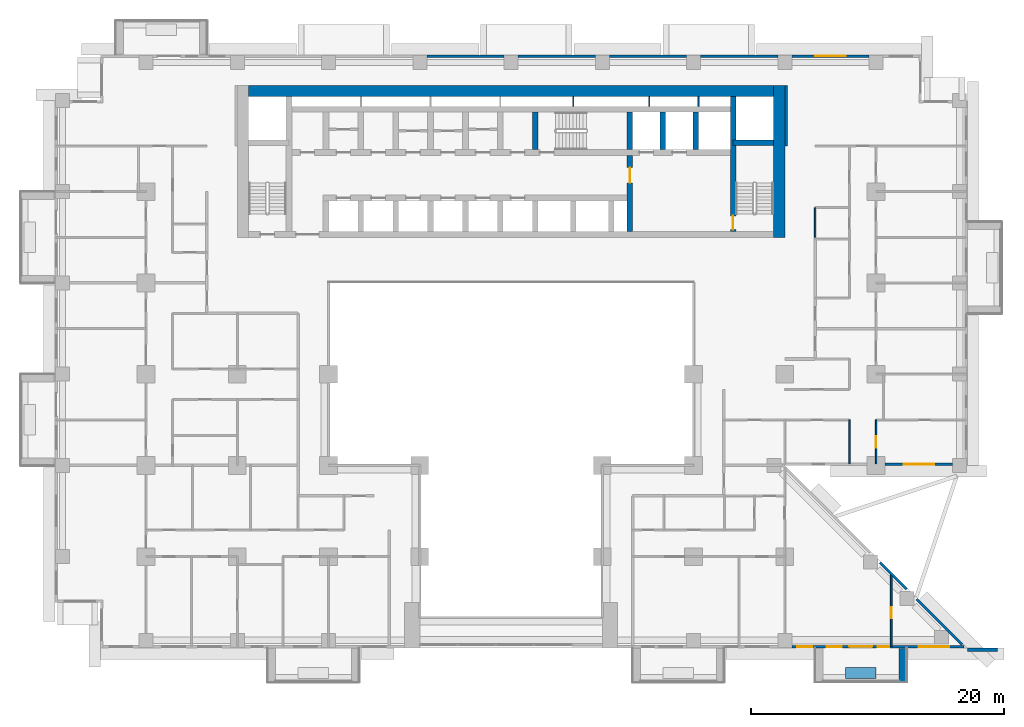
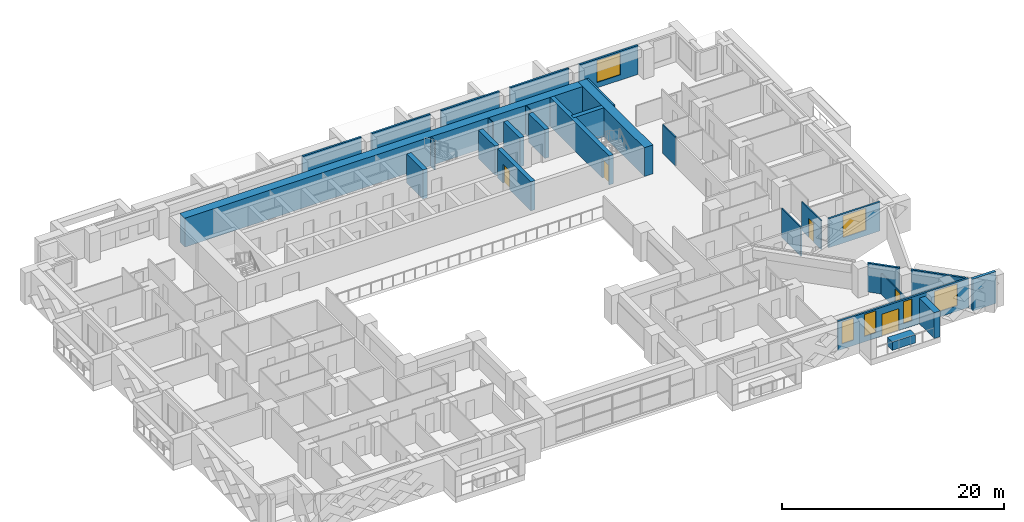
# One storey, part 11 of 17: 29 walls, 6 windows, 5 doors, 11 openings.
"""IFC4 building model written with IfcOpenShell, lengths in metres."""

from ifc_helpers import new_model, si_unit, direction, frame, frame_2d, origin, place, context, subcontext, project, spatial, rectangle, extrude, material, layer, layer_set, type_object, element, fill, save


model = new_model("IFC4")

# Units and contexts
model_context = context("Model", 3, precision=1e-05, world=origin(), true_north=direction((0.0, 1.0)))
body_context = subcontext(model_context, "Body", "Model", "MODEL_VIEW")
ifc_project = project(units=[si_unit("LENGTHUNIT", "METRE"), si_unit("AREAUNIT", "SQUARE_METRE"), si_unit("VOLUMEUNIT", "CUBIC_METRE"), si_unit("PLANEANGLEUNIT", "RADIAN"), si_unit("MASSUNIT", "GRAM", prefix="KILO")], contexts=[model_context])

# Site, building, storey
site_placement = place(None, origin())
site = spatial("IfcSite", under=ifc_project, at=site_placement, CompositionType="ELEMENT")
building_placement = place(site_placement, origin())
building = spatial("IfcBuilding", under=site, at=building_placement, Name="Saffron Iwan Residences", CompositionType="ELEMENT")
storey_placement = place(building_placement, frame((0.0, 0.0, 37.5)))
storey = spatial("IfcBuildingStorey", under=building, at=storey_placement, Name="L08", CompositionType="ELEMENT", Elevation=37.5)

# Walls
ifc_material_1 = material(Name="Concrete C50/60 white painted", Category="concrete")
ifc_layer_1 = layer(ifc_material_1, 0.60009765625)
ifc_layer_set_1 = layer_set([ifc_layer_1], Name="Concrete C50/60 white painted")
wall_type_1 = type_object("IfcWallType", Name="BALCONY FIN 600", PredefinedType="SOLIDWALL", material=ifc_layer_set_1)
wall_1_placement = place(storey_placement, frame((81.300048828125, 33.550048828125, 0.0), z_axis=(0.0, 0.0, 1.0), x_axis=(0.0, -1.0, 0.0)))
element("IfcWall", 1, at=wall_1_placement, inside=storey, type_object=wall_type_1, Name="Balcony fin L08 11-2b", PredefinedType="SOLIDWALL", context=body_context, shape_type="SweptSolid", body=[
    extrude(rectangle(XDim=2.650146484375, YDim=0.60009765625, at=frame_2d((1.3251953125, 0.0))), origin(), (0.0, 0.0, 1.0), 2.85009765625),
])
ifc_material_2 = material(Name="Concrete C35/45 white painted", Category="concrete")
ifc_layer_2 = layer(ifc_material_2, 0.14990234375)
ifc_layer_set_2 = layer_set([ifc_layer_2], Name="Concrete C35/45 white painted")
wall_type_2 = type_object("IfcWallType", Name="BALCONY PLANTER", PredefinedType="SOLIDWALL", material=ifc_layer_set_2)
wall_2_placement = place(storey_placement, frame((76.800048828125, 31.625, 0.0), z_axis=(0.0, 0.0, 1.0), x_axis=(1.0, 0.0, 0.0)))
element("IfcWall", 2, at=wall_2_placement, inside=storey, type_object=wall_type_2, Name="PLANTER L08 11-2", PredefinedType="SOLIDWALL", context=body_context, shape_type="SweptSolid", body=[
    extrude(rectangle(XDim=2.39990234375, YDim=0.89990234375, at=frame_2d((1.199951171875, 0.0))), origin(), (0.0, 0.0, 1.0), 0.89990234375),
])
ifc_material_3 = material(Name="Concrete C40/50", Category="concrete")
ifc_layer_3 = layer(ifc_material_3, 0.199951171875)
ifc_layer_set_3 = layer_set([ifc_layer_3], Name="Concrete C40/50")
wall_type_3 = type_object("IfcWallType", Name="EXTERNAL WALL 200", PredefinedType="SOLIDWALL", material=ifc_layer_set_3)
wall_3_placement = place(storey_placement, frame((85.995849609375, 33.862548828125, 0.0), z_axis=(0.0, 0.0, 1.0), x_axis=(-0.7070827891, 0.707130772459, 0.0)))
element("IfcWall", 3, at=wall_3_placement, inside=storey, type_object=wall_type_3, Name="External wall L08 F0.0", PredefinedType="SOLIDWALL", context=body_context, shape_type="SweptSolid", body=[
    extrude(rectangle(XDim=5.088134765625, YDim=0.199951171875, at=frame_2d((2.5439453125, 0.0))), origin(), (0.0, 0.0, 1.0), 3.179931640625),
])
wall_4_placement = place(storey_placement, frame((81.620361328125, 38.23828125, 0.0), z_axis=(0.0, 0.0, 1.0), x_axis=(-0.707106781187, 0.707106781187, 0.0)))
element("IfcWall", 4, at=wall_4_placement, inside=storey, type_object=wall_type_3, Name="External wall L08 F0.1", PredefinedType="SOLIDWALL", context=body_context, shape_type="SweptSolid", body=[
    extrude(rectangle(XDim=2.97265625, YDim=0.199951171875, at=frame_2d((1.486328125, 0.0))), origin(), (0.0, 0.0, 1.0), 3.179931640625),
])

# Wall, opening, window
wall_5_placement = place(storey_placement, frame((79.89990234375, 48.10009765625, 0.0), z_axis=(0.0, 0.0, 1.0), x_axis=(1.0, 0.0, 0.0)))
wall_5 = element("IfcWall", 5, at=wall_5_placement, inside=storey, type_object=wall_type_3, Name="External wall L08 F1.1", PredefinedType="SOLIDWALL", context=body_context, shape_type="SweptSolid", body=[
    extrude(rectangle(XDim=5.35009765625, YDim=0.199951171875, at=frame_2d((2.675048828125, 0.0))), origin(), (0.0, 0.0, 1.0), 3.179931640625),
])
opening_1_placement = place(wall_5_placement, frame((1.47509765625, 0.0, 0.60009765625)))
opening_1 = element("IfcOpeningElement", 6, at=opening_1_placement, cuts=wall_5, Name="Opening W1", PredefinedType="OPENING", context=body_context, shape_type="SweptSolid", body=[
    extrude(rectangle(XDim=2.39990234375, YDim=2.39990234375, at=frame_2d((1.199951171875, 1.199951171875))), frame((0.0, 0.10986328125, 0.0), z_axis=(0.0, -1.0, 0.0), x_axis=(1.0, 0.0, 0.0)), (0.0, 0.0, 1.0), 0.219970703125),
])
ifc_material_4 = material(Name="Clear glass, laminated double glazed", Category="glass")
window_type_1 = type_object("IfcWindowType", Name="WINDOW 2400 x 2400", PartitioningType="DOUBLE_PANEL_VERTICAL", PredefinedType="WINDOW", material=ifc_material_4)
window_1_placement = place(opening_1_placement, origin())
window_1 = element("IfcWindow", 7, at=window_1_placement, inside=storey, type_object=window_type_1, Name="Window L08 F1.0", OverallHeight=2.39990234375, OverallWidth=2.39990234375, PartitioningType="DOUBLE_PANEL_VERTICAL", PredefinedType="WINDOW", context=body_context, shape_type="SweptSolid", body=[
    extrude(rectangle(XDim=2.39990234375, YDim=2.39990234375, at=frame_2d((1.199951171875, 1.199951171875))), frame((0.0, 0.030029296875, 0.0), z_axis=(0.0, -1.0, 0.0), x_axis=(1.0, 0.0, 0.0)), (0.0, 0.0, 1.0), 0.06005859375),
])
fill(opening_1, window_1)

wall_6_placement = place(storey_placement, frame((78.64990234375, 80.300048828125, 0.0), z_axis=(0.0, 0.0, 1.0), x_axis=(-1.0, 0.0, 0.0)))
wall_6 = element("IfcWall", 8, at=wall_6_placement, inside=storey, type_object=wall_type_3, Name="External wall L08 F5.1", PredefinedType="SOLIDWALL", context=body_context, shape_type="SweptSolid", body=[
    extrude(rectangle(XDim=6.099853515625, YDim=0.199951171875, at=frame_2d((3.0498046875, 0.0))), origin(), (0.0, 0.0, 1.0), 3.179931640625),
])
opening_2_placement = place(wall_6_placement, frame((1.85009765625, 0.0, 0.60009765625)))
opening_2 = element("IfcOpeningElement", 9, at=opening_2_placement, cuts=wall_6, Name="Opening W1", PredefinedType="OPENING", context=body_context, shape_type="SweptSolid", body=[
    extrude(rectangle(XDim=2.39990234375, YDim=2.39990234375, at=frame_2d((1.199951171875, 1.199951171875))), frame((0.0, 0.10986328125, 0.0), z_axis=(0.0, -1.0, 0.0), x_axis=(1.0, 0.0, 0.0)), (0.0, 0.0, 1.0), 0.219970703125),
])
window_2_placement = place(opening_2_placement, origin())
window_2 = element("IfcWindow", 10, at=window_2_placement, inside=storey, type_object=window_type_1, Name="Window L08 F5.0", OverallHeight=2.39990234375, OverallWidth=2.39990234375, PartitioningType="DOUBLE_PANEL_VERTICAL", PredefinedType="WINDOW", context=body_context, shape_type="SweptSolid", body=[
    extrude(rectangle(XDim=2.39990234375, YDim=2.39990234375, at=frame_2d((1.199951171875, 1.199951171875))), frame((0.0, 0.030029296875, 0.0), z_axis=(0.0, -1.0, 0.0), x_axis=(1.0, 0.0, 0.0)), (0.0, 0.0, 1.0), 0.06005859375),
])
fill(opening_2, window_2)

# Walls
wall_7_placement = place(storey_placement, frame((71.449951171875, 80.300048828125, 0.0), z_axis=(0.0, 0.0, 1.0), x_axis=(-1.0, 0.0, 0.0)))
element("IfcWall", 11, at=wall_7_placement, inside=storey, type_object=wall_type_3, Name="External wall L08 F5.2", PredefinedType="SOLIDWALL", context=body_context, shape_type="SweptSolid", body=[
    extrude(rectangle(XDim=6.099853515625, YDim=0.199951171875, at=frame_2d((3.0498046875, 0.0))), origin(), (0.0, 0.0, 1.0), 3.179931640625),
])
for number, where, z_axis, x_axis, name in (
    (12, (64.25, 80.300048828125, 0.0), (0.0, 0.0, 1.0), (-1.0, 0.0, 0.0), "External wall L08 F5.3"),
    (13, (57.050048828125, 80.300048828125, 0.0), (0.0, 0.0, 1.0), (-1.0, 0.0, 0.0), "External wall L08 F5.4"),
    (14, (49.85009765625, 80.300048828125, 0.0), (0.0, 0.0, 1.0), (-1.0, 0.0, 0.0), "External wall L08 F5.5"),
):
    element("IfcWall", number, at=place(storey_placement, frame(where, z_axis=z_axis, x_axis=x_axis)), inside=storey, type_object=wall_type_3, Name=name, PredefinedType="SOLIDWALL", context=body_context, shape_type="SweptSolid", body=[
        extrude(rectangle(XDim=6.10009765625, YDim=0.199951171875, at=frame_2d((3.050048828125, 0.0))), origin(), (0.0, 0.0, 1.0), 3.179931640625),
    ])

# Wall, openings, door, windows
wall_8_placement = place(storey_placement, frame((72.550048828125, 33.699951171875, 0.0), z_axis=(0.0, 0.0, 1.0), x_axis=(1.0, 0.0, 0.0)))
wall_8 = element("IfcWall", 15, at=wall_8_placement, inside=storey, type_object=wall_type_3, Name="External wall L08 F11.6", PredefinedType="SOLIDWALL", context=body_context, shape_type="SweptSolid", body=[
    extrude(rectangle(XDim=13.608642578125, YDim=0.199951171875, at=frame_2d((6.80419921875, 0.0))), origin(), (0.0, 0.0, 1.0), 3.179931640625),
])
opening_3_placement = place(wall_8_placement, frame((4.550048828125, 0.0, 0.0)))
opening_3 = element("IfcOpeningElement", 16, at=opening_3_placement, cuts=wall_8, Name="Opening BD1", PredefinedType="OPENING", context=body_context, shape_type="SweptSolid", body=[
    extrude(rectangle(XDim=1.800048828125, YDim=2.39990234375, at=frame_2d((0.89990234375, 1.199951171875))), frame((0.0, 0.10986328125, 0.0), z_axis=(0.0, -1.0, 0.0), x_axis=(1.0, 0.0, 0.0)), (0.0, 0.0, 1.0), 0.219970703125),
])
opening_4_placement = place(wall_8_placement, frame((0.425048828125, 0.0, 0.60009765625)))
opening_4 = element("IfcOpeningElement", 17, at=opening_4_placement, cuts=wall_8, Name="Opening W3", PredefinedType="OPENING", context=body_context, shape_type="SweptSolid", body=[
    extrude(rectangle(XDim=1.199951171875, YDim=2.39990234375, at=frame_2d((0.60009765625, 1.199951171875))), frame((0.0, 0.10986328125, 0.0), z_axis=(0.0, -1.0, 0.0), x_axis=(1.0, 0.0, 0.0)), (0.0, 0.0, 1.0), 0.219970703125),
])
opening_5_placement = place(wall_8_placement, frame((2.75, 0.0, 0.60009765625)))
opening_5 = element("IfcOpeningElement", 18, at=opening_5_placement, cuts=wall_8, Name="Opening W3", PredefinedType="OPENING", context=body_context, shape_type="SweptSolid", body=[
    extrude(rectangle(XDim=1.199951171875, YDim=2.39990234375, at=frame_2d((0.60009765625, 1.199951171875))), frame((0.0, 0.10986328125, 0.0), z_axis=(0.0, -1.0, 0.0), x_axis=(1.0, 0.0, 0.0)), (0.0, 0.0, 1.0), 0.219970703125),
])
opening_6_placement = place(wall_8_placement, frame((6.800048828125, 0.0, 0.60009765625)))
opening_6 = element("IfcOpeningElement", 19, at=opening_6_placement, cuts=wall_8, Name="Opening W10", PredefinedType="OPENING", context=body_context, shape_type="SweptSolid", body=[
    extrude(rectangle(XDim=0.89990234375, YDim=2.39990234375, at=frame_2d((0.449951171875, 1.199951171875))), frame((0.0, 0.10986328125, 0.0), z_axis=(0.0, -1.0, 0.0), x_axis=(1.0, 0.0, 0.0)), (0.0, 0.0, 1.0), 0.219970703125),
])
opening_7_placement = place(wall_8_placement, frame((10.029296875, 0.0, 0.60009765625)))
opening_7 = element("IfcOpeningElement", 20, at=opening_7_placement, cuts=wall_8, Name="Opening W1", PredefinedType="OPENING", context=body_context, shape_type="SweptSolid", body=[
    extrude(rectangle(XDim=2.39990234375, YDim=2.39990234375, at=frame_2d((1.199951171875, 1.199951171875))), frame((0.0, 0.10986328125, 0.0), z_axis=(0.0, -1.0, 0.0), x_axis=(1.0, 0.0, 0.0)), (0.0, 0.0, 1.0), 0.219970703125),
])
door_type_1 = type_object("IfcDoorType", Name="BALCONY DOOR 1800 x 2400", OperationType="DOUBLE_DOOR_SLIDING", PredefinedType="DOOR", material=ifc_material_4)
door_1_placement = place(opening_3_placement, origin())
door_1 = element("IfcDoor", 21, at=door_1_placement, inside=storey, type_object=door_type_1, Name="Balcony door L08 F11.0", OperationType="DOUBLE_DOOR_SLIDING", OverallHeight=2.39990234375, OverallWidth=1.800048828125, PredefinedType="DOOR", context=body_context, shape_type="SweptSolid", body=[
    extrude(rectangle(XDim=1.800048828125, YDim=2.39990234375, at=frame_2d((0.89990234375, 1.199951171875))), frame((0.0, 0.02490234375, 0.0), z_axis=(0.0, -1.0, 0.0), x_axis=(1.0, 0.0, 0.0)), (0.0, 0.0, 1.0), 0.050048828125),
])
fill(opening_3, door_1)
window_type_2 = type_object("IfcWindowType", Name="WINDOW 1200 x 2400", PartitioningType="SINGLE_PANEL", PredefinedType="WINDOW", material=ifc_material_4)
window_3_placement = place(opening_4_placement, origin())
window_3 = element("IfcWindow", 22, at=window_3_placement, inside=storey, type_object=window_type_2, Name="Window L08 F11.1", OverallHeight=2.39990234375, OverallWidth=1.199951171875, PartitioningType="SINGLE_PANEL", PredefinedType="WINDOW", context=body_context, shape_type="SweptSolid", body=[
    extrude(rectangle(XDim=1.199951171875, YDim=2.39990234375, at=frame_2d((0.60009765625, 1.199951171875))), frame((0.0, 0.030029296875, 0.0), z_axis=(0.0, -1.0, 0.0), x_axis=(1.0, 0.0, 0.0)), (0.0, 0.0, 1.0), 0.06005859375),
])
fill(opening_4, window_3)
window_4_placement = place(opening_5_placement, origin())
window_4 = element("IfcWindow", 23, at=window_4_placement, inside=storey, type_object=window_type_2, Name="Window L08 F11.2", OverallHeight=2.39990234375, OverallWidth=1.199951171875, PartitioningType="SINGLE_PANEL", PredefinedType="WINDOW", context=body_context, shape_type="SweptSolid", body=[
    extrude(rectangle(XDim=1.199951171875, YDim=2.39990234375, at=frame_2d((0.60009765625, 1.199951171875))), frame((0.0, 0.030029296875, 0.0), z_axis=(0.0, -1.0, 0.0), x_axis=(1.0, 0.0, 0.0)), (0.0, 0.0, 1.0), 0.06005859375),
])
fill(opening_5, window_4)
window_5_placement = place(opening_7_placement, origin())
window_5 = element("IfcWindow", 24, at=window_5_placement, inside=storey, type_object=window_type_1, Name="Window L08 F11.4", OverallHeight=2.39990234375, OverallWidth=2.39990234375, PartitioningType="DOUBLE_PANEL_VERTICAL", PredefinedType="WINDOW", context=body_context, shape_type="SweptSolid", body=[
    extrude(rectangle(XDim=2.39990234375, YDim=2.39990234375, at=frame_2d((1.199951171875, 1.199951171875))), frame((0.0, 0.030029296875, 0.0), z_axis=(0.0, -1.0, 0.0), x_axis=(1.0, 0.0, 0.0)), (0.0, 0.0, 1.0), 0.06005859375),
])
fill(opening_7, window_5)
window_type_3 = type_object("IfcWindowType", Name="WINDOW 900 x 2400", PartitioningType="SINGLE_PANEL", PredefinedType="WINDOW", material=ifc_material_4)
window_6_placement = place(opening_6_placement, origin())
window_6 = element("IfcWindow", 25, at=window_6_placement, inside=storey, type_object=window_type_3, Name="Window L08 F11.3", OverallHeight=2.39990234375, OverallWidth=0.89990234375, PartitioningType="SINGLE_PANEL", PredefinedType="WINDOW", context=body_context, shape_type="SweptSolid", body=[
    extrude(rectangle(XDim=0.89990234375, YDim=2.39990234375, at=frame_2d((0.449951171875, 1.199951171875))), frame((0.0, 0.030029296875, 0.0), z_axis=(0.0, -1.0, 0.0), x_axis=(1.0, 0.0, 0.0)), (0.0, 0.0, 1.0), 0.06005859375),
])
fill(opening_6, window_6)

# Walls
ifc_material_5 = material(Name="Gypsum board partition")
ifc_layer_4 = layer(ifc_material_5, 0.1201171875)
ifc_layer_set_4 = layer_set([ifc_layer_4], Name="Gypsum board partition")
wall_type_4 = type_object("IfcWallType", Name="Flat partition 120", PredefinedType="PARTITIONING", material=ifc_layer_set_4)
wall_9_placement = place(storey_placement, frame((74.39990234375, 66.02001953125, 0.0), z_axis=(0.0, 0.0, 1.0), x_axis=(0.0, 1.0, 0.0)))
element("IfcWall", 26, at=wall_9_placement, inside=storey, type_object=wall_type_4, Name="W-L08-PART-v74.4-66.02", PredefinedType="PARTITIONING", context=body_context, shape_type="SweptSolid", body=[
    extrude(rectangle(XDim=2.330078125, YDim=0.1201171875, at=frame_2d((1.1650390625, 0.0))), origin(), (0.0, 0.0, 1.0), 3.179931640625),
])
wall_10_placement = place(storey_placement, frame((77.10009765625, 48.125, 0.0), z_axis=(0.0, 0.0, 1.0), x_axis=(0.0, 1.0, 0.0)))
element("IfcWall", 27, at=wall_10_placement, inside=storey, type_object=wall_type_4, Name="W-L08-PART-v77.1-48.125", PredefinedType="PARTITIONING", context=body_context, shape_type="SweptSolid", body=[
    extrude(rectangle(XDim=3.47509765625, YDim=0.1201171875, at=frame_2d((1.737548828125, 0.0))), origin(), (0.0, 0.0, 1.0), 3.179931640625),
])

# Wall, opening, door
wall_11_placement = place(storey_placement, frame((79.199951171875, 48.125, 0.0), z_axis=(0.0, 0.0, 1.0), x_axis=(0.0, 1.0, 0.0)))
wall_11 = element("IfcWall", 28, at=wall_11_placement, inside=storey, type_object=wall_type_4, Name="W-L08-PART-v79.2-48.125", PredefinedType="PARTITIONING", context=body_context, shape_type="SweptSolid", body=[
    extrude(rectangle(XDim=3.47509765625, YDim=0.1201171875, at=frame_2d((1.737548828125, 0.0))), origin(), (0.0, 0.0, 1.0), 3.179931640625),
])
opening_8_placement = place(wall_11_placement, frame((1.28759765625, 0.0, 0.0)))
opening_8 = element("IfcOpeningElement", 29, at=opening_8_placement, cuts=wall_11, Name="Opening FD2", PredefinedType="OPENING", context=body_context, shape_type="SweptSolid", body=[
    extrude(rectangle(XDim=0.89990234375, YDim=2.10009765625, at=frame_2d((0.449951171875, 1.050048828125))), frame((0.0, 0.070068359375, 0.0), z_axis=(0.0, -1.0, 0.0), x_axis=(1.0, 0.0, 0.0)), (0.0, 0.0, 1.0), 0.14013671875),
])
ifc_material_6 = material(Name="Timber door", Category="wood")
door_type_2 = type_object("IfcDoorType", Name="Flat door 900", OperationType="NOTDEFINED", PredefinedType="DOOR", material=ifc_material_6)
door_2_placement = place(opening_8_placement, origin())
door_2 = element("IfcDoor", 30, at=door_2_placement, inside=storey, type_object=door_type_2, Name="Door L08-022", OperationType="SINGLE_SWING_LEFT", OverallHeight=2.10009765625, OverallWidth=0.89990234375, PredefinedType="DOOR", context=body_context, shape_type="SweptSolid", body=[
    extrude(rectangle(XDim=0.89990234375, YDim=2.10009765625, at=frame_2d((0.449951171875, 1.050048828125))), frame((0.0, 0.02490234375, 0.0), z_axis=(0.0, -1.0, 0.0), x_axis=(1.0, 0.0, 0.0)), (0.0, 0.0, 1.0), 0.050048828125),
])
fill(opening_8, door_2)

wall_12_placement = place(storey_placement, frame((80.39990234375, 33.72509765625, 0.0), z_axis=(0.0, 0.0, 1.0), x_axis=(0.0, 1.0, 0.0)))
wall_12 = element("IfcWall", 31, at=wall_12_placement, inside=storey, type_object=wall_type_4, Name="W-L08-PART-v80.4-33.725", PredefinedType="PARTITIONING", context=body_context, shape_type="SweptSolid", body=[
    extrude(rectangle(XDim=5.697998046875, YDim=0.1201171875, at=frame_2d((2.84912109375, 0.0))), origin(), (0.0, 0.0, 1.0), 2.280029296875),
])
opening_9_placement = place(wall_12_placement, frame((2.198974609375, 0.0, 0.0)))
opening_9 = element("IfcOpeningElement", 32, at=opening_9_placement, cuts=wall_12, Name="Opening FD2", PredefinedType="OPENING", context=body_context, shape_type="SweptSolid", body=[
    extrude(rectangle(XDim=0.89990234375, YDim=2.10009765625, at=frame_2d((0.449951171875, 1.050048828125))), frame((0.0, 0.070068359375, 0.0), z_axis=(0.0, -1.0, 0.0), x_axis=(1.0, 0.0, 0.0)), (0.0, 0.0, 1.0), 0.14013671875),
])
door_3_placement = place(opening_9_placement, origin())
door_3 = element("IfcDoor", 33, at=door_3_placement, inside=storey, type_object=door_type_2, Name="Door L08-052", OperationType="SINGLE_SWING_RIGHT", OverallHeight=2.10009765625, OverallWidth=0.89990234375, PredefinedType="DOOR", context=body_context, shape_type="SweptSolid", body=[
    extrude(rectangle(XDim=0.89990234375, YDim=2.10009765625, at=frame_2d((0.449951171875, 1.050048828125))), frame((0.0, 0.02490234375, 0.0), z_axis=(0.0, -1.0, 0.0), x_axis=(1.0, 0.0, 0.0)), (0.0, 0.0, 1.0), 0.050048828125),
])
fill(opening_9, door_3)

# Walls
ifc_material_7 = material(Name="Fire-rated gypsum board wall")
ifc_layer_5 = layer(ifc_material_7, 0.199951171875)
ifc_layer_set_5 = layer_set([ifc_layer_5], Name="Fire-rated gypsum board wall")
wall_type_5 = type_object("IfcWallType", Name="Gallery wall 200", PredefinedType="SOLIDWALL", material=ifc_layer_set_5)
wall_13_placement = place(storey_placement, frame((72.10009765625, 73.199951171875, 0.0), z_axis=(0.0, 0.0, 1.0), x_axis=(0.0, 1.0, 0.0)))
element("IfcWall", 34, at=wall_13_placement, inside=storey, type_object=wall_type_5, Name="W-L08-CORR-v72-73.2", PredefinedType="SOLIDWALL", context=body_context, shape_type="SweptSolid", body=[
    extrude(rectangle(XDim=4.800048828125, YDim=0.199951171875, at=frame_2d((2.39990234375, 0.0))), origin(), (0.0, 0.0, 1.0), 3.179931640625),
])
ifc_layer_6 = layer(ifc_material_1, 0.300048828125)
ifc_layer_set_6 = layer_set([ifc_layer_6], Name="Concrete C50/60 white painted")
wall_type_6 = type_object("IfcWallType", Name="PROW BLADE 300", PredefinedType="SOLIDWALL", material=ifc_layer_set_6)
wall_14_placement = place(storey_placement, frame((86.39990234375, 33.449951171875, -0.320068359375), z_axis=(0.0, 0.0, 1.0), x_axis=(1.0, 0.0, 0.0)))
element("IfcWall", 35, at=wall_14_placement, inside=storey, type_object=wall_type_6, Name="Prow blade L08", PredefinedType="SOLIDWALL", context=body_context, shape_type="SweptSolid", body=[
    extrude(rectangle(XDim=2.400146484375, YDim=0.300048828125, at=frame_2d((1.2001953125, 0.0))), origin(), (0.0, 0.0, 1.0), 3.5),
])
ifc_material_8 = material(Name="Fire-rated plasterboard partition")
ifc_layer_7 = layer(ifc_material_8, 0.10009765625)
ifc_layer_set_7 = layer_set([ifc_layer_7], Name="Fire-rated plasterboard partition")
wall_type_7 = type_object("IfcWallType", Name="Riser partition 100", PredefinedType="PARTITIONING", material=ifc_layer_set_7)
for number, where, z_axis, x_axis, name in (
    (36, (55.300048828125, 76.324951171875, 0.0), (0.0, 0.0, 1.0), (0.0, 1.0, 0.0), "Core partition P08"),
    (37, (61.300048828125, 76.324951171875, 0.0), (0.0, 0.0, 1.0), (0.0, 1.0, 0.0), "Core partition P09"),
    (38, (65.199951171875, 76.324951171875, 0.0), (0.0, 0.0, 1.0), (0.0, 1.0, 0.0), "Core partition P10"),
):
    element("IfcWall", number, at=place(storey_placement, frame(where, z_axis=z_axis, x_axis=x_axis)), inside=storey, type_object=wall_type_7, Name=name, PredefinedType="PARTITIONING", context=body_context, shape_type="SweptSolid", body=[
        extrude(rectangle(XDim=0.775146484375, YDim=0.10009765625, at=frame_2d((0.3876953125, 0.0))), origin(), (0.0, 0.0, 1.0), 3.179931640625),
    ])
ifc_material_9 = material(Name="Concrete C60/75", Category="concrete")
ifc_layer_8 = layer(ifc_material_9, 0.449951171875)
ifc_layer_set_8 = layer_set([ifc_layer_8], Name="Concrete C60/75")
wall_type_8 = type_object("IfcWallType", Name="WALL CORE 450 C60/75 3180 HIGH", PredefinedType="SHEAR", material=ifc_layer_set_8)
wall_15_placement = place(storey_placement, frame((67.925048828125, 73.47509765625, 0.0), z_axis=(0.0, 0.0, 1.0), x_axis=(1.0, 0.0, 0.0)))
element("IfcWall", 39, at=wall_15_placement, inside=storey, type_object=wall_type_8, Name="Core wall", PredefinedType="SHEAR", context=body_context, shape_type="SweptSolid", body=[
    extrude(rectangle(XDim=3.175048828125, YDim=0.449951171875, at=frame_2d((1.58740234375, 0.0))), origin(), (0.0, 0.0, 1.0), 3.179931640625),
])

# Wall, opening, door
wall_16_placement = place(storey_placement, frame((67.925048828125, 66.449951171875, 0.0), z_axis=(0.0, 0.0, 1.0), x_axis=(0.0, 1.0, 0.0)))
wall_16 = element("IfcWall", 40, at=wall_16_placement, inside=storey, type_object=wall_type_8, Name="Core wall", PredefinedType="SHEAR", context=body_context, shape_type="SweptSolid", body=[
    extrude(rectangle(XDim=10.650146484375, YDim=0.449951171875, at=frame_2d((5.3251953125, 0.0))), origin(), (0.0, 0.0, 1.0), 3.179931640625),
])
opening_10_placement = place(wall_16_placement, frame((0.14990234375, 0.0, 0.0)))
opening_10 = element("IfcOpeningElement", 41, at=opening_10_placement, cuts=wall_16, Name="Opening SD", PredefinedType="OPENING", context=body_context, shape_type="SweptSolid", body=[
    extrude(rectangle(XDim=1.10009765625, YDim=2.10009765625, at=frame_2d((0.550048828125, 1.050048828125))), frame((0.0, 0.23486328125, 0.0), z_axis=(0.0, -1.0, 0.0), x_axis=(1.0, 0.0, 0.0)), (0.0, 0.0, 1.0), 0.469970703125),
])
ifc_material_10 = material(Name="Steel fire door", Category="steel")
door_type_3 = type_object("IfcDoorType", Name="Stair door 1100", OperationType="NOTDEFINED", PredefinedType="DOOR", material=ifc_material_10)
door_4_placement = place(opening_10_placement, origin())
door_4 = element("IfcDoor", 42, at=door_4_placement, inside=storey, type_object=door_type_3, Name="Stair door ST-E", OperationType="SINGLE_SWING_LEFT", OverallHeight=2.10009765625, OverallWidth=1.10009765625, PredefinedType="DOOR", context=body_context, shape_type="SweptSolid", body=[
    extrude(rectangle(XDim=1.10009765625, YDim=2.10009765625, at=frame_2d((0.550048828125, 1.050048828125))), frame((0.0, 0.02490234375, 0.0), z_axis=(0.0, -1.0, 0.0), x_axis=(1.0, 0.0, 0.0)), (0.0, 0.0, 1.0), 0.050048828125),
])
fill(opening_10, door_4)

wall_17_placement = place(storey_placement, frame((59.77490234375, 66.449951171875, 0.0), z_axis=(0.0, 0.0, 1.0), x_axis=(0.0, 1.0, 0.0)))
wall_17 = element("IfcWall", 43, at=wall_17_placement, inside=storey, type_object=wall_type_8, Name="Core wall", PredefinedType="SHEAR", context=body_context, shape_type="SweptSolid", body=[
    extrude(rectangle(XDim=6.025146484375, YDim=0.449951171875, at=frame_2d((3.0126953125, 0.0))), origin(), (0.0, 0.0, 1.0), 3.179931640625),
])
opening_11_placement = place(wall_17_placement, frame((3.85009765625, 0.0, 0.0)))
opening_11 = element("IfcOpeningElement", 44, at=opening_11_placement, cuts=wall_17, Name="Opening FD", PredefinedType="OPENING", context=body_context, shape_type="SweptSolid", body=[
    extrude(rectangle(XDim=1.199951171875, YDim=2.10009765625, at=frame_2d((0.60009765625, 1.050048828125))), frame((0.0, 0.23486328125, 0.0), z_axis=(0.0, -1.0, 0.0), x_axis=(1.0, 0.0, 0.0)), (0.0, 0.0, 1.0), 0.469970703125),
])
door_type_4 = type_object("IfcDoorType", Name="Firefighting lobby door 1200", OperationType="NOTDEFINED", PredefinedType="DOOR", material=ifc_material_10)
door_5_placement = place(opening_11_placement, origin())
door_5 = element("IfcDoor", 45, at=door_5_placement, inside=storey, type_object=door_type_4, Name="Firefighting lobby door", OperationType="SINGLE_SWING_RIGHT", OverallHeight=2.10009765625, OverallWidth=1.199951171875, PredefinedType="DOOR", context=body_context, shape_type="SweptSolid", body=[
    extrude(rectangle(XDim=1.199951171875, YDim=2.10009765625, at=frame_2d((0.60009765625, 1.050048828125))), frame((0.0, 0.02490234375, 0.0), z_axis=(0.0, -1.0, 0.0), x_axis=(1.0, 0.0, 0.0)), (0.0, 0.0, 1.0), 0.050048828125),
])
fill(opening_11, door_5)

# Walls
for number, where, z_axis, x_axis, name in (
    (46, (59.77490234375, 72.925048828125, 0.0), (0.0, 0.0, 1.0), (0.0, 1.0, 0.0), "Core wall"),
    (47, (52.300048828125, 72.925048828125, 0.0), (0.0, 0.0, 1.0), (0.0, 1.0, 0.0), "Core wall"),
    (48, (62.375, 72.925048828125, 0.0), (0.0, 0.0, 1.0), (0.0, 1.0, 0.0), "Core wall"),
    (49, (64.97509765625, 72.925048828125, 0.0), (0.0, 0.0, 1.0), (0.0, 1.0, 0.0), "Core wall"),
):
    element("IfcWall", number, at=place(storey_placement, frame(where, z_axis=z_axis, x_axis=x_axis)), inside=storey, type_object=wall_type_8, Name=name, PredefinedType="SHEAR", context=body_context, shape_type="SweptSolid", body=[
        extrude(rectangle(XDim=2.949951171875, YDim=0.449951171875, at=frame_2d((1.47509765625, 0.0))), origin(), (0.0, 0.0, 1.0), 3.179931640625),
    ])
ifc_layer_9 = layer(ifc_material_9, 0.89990234375)
ifc_layer_set_9 = layer_set([ifc_layer_9], Name="Concrete C60/75")
wall_type_9 = type_object("IfcWallType", Name="WALL CORE 900 C60/75 3180 HIGH", PredefinedType="SHEAR", material=ifc_layer_set_9)
wall_18_placement = place(storey_placement, frame((71.550048828125, 66.0, 0.0), z_axis=(0.0, 0.0, 1.0), x_axis=(0.0, 1.0, 0.0)))
element("IfcWall", 50, at=wall_18_placement, inside=storey, type_object=wall_type_9, Name="Core wall", PredefinedType="SHEAR", context=body_context, shape_type="SweptSolid", body=[
    extrude(rectangle(XDim=12.0, YDim=0.89990234375, at=frame_2d((6.0, 0.0))), origin(), (0.0, 0.0, 1.0), 3.179931640625),
])
wall_19_placement = place(storey_placement, frame((29.699951171875, 77.550048828125, 0.0), z_axis=(0.0, 0.0, 1.0), x_axis=(1.0, 0.0, 0.0)))
element("IfcWall", 51, at=wall_19_placement, inside=storey, type_object=wall_type_9, Name="Core wall", PredefinedType="SHEAR", context=body_context, shape_type="SweptSolid", body=[
    extrude(rectangle(XDim=41.400146484375, YDim=0.89990234375, at=frame_2d((20.7001953125, 0.0))), origin(), (0.0, 0.0, 1.0), 3.179931640625),
])

save(model, "model.ifc")
